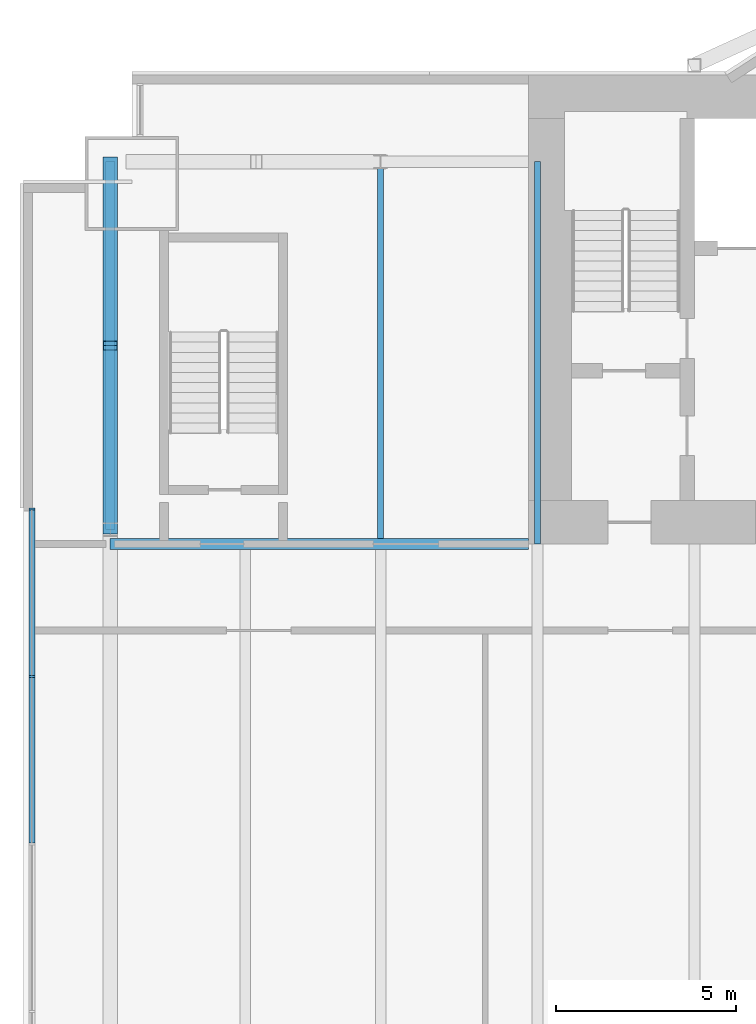
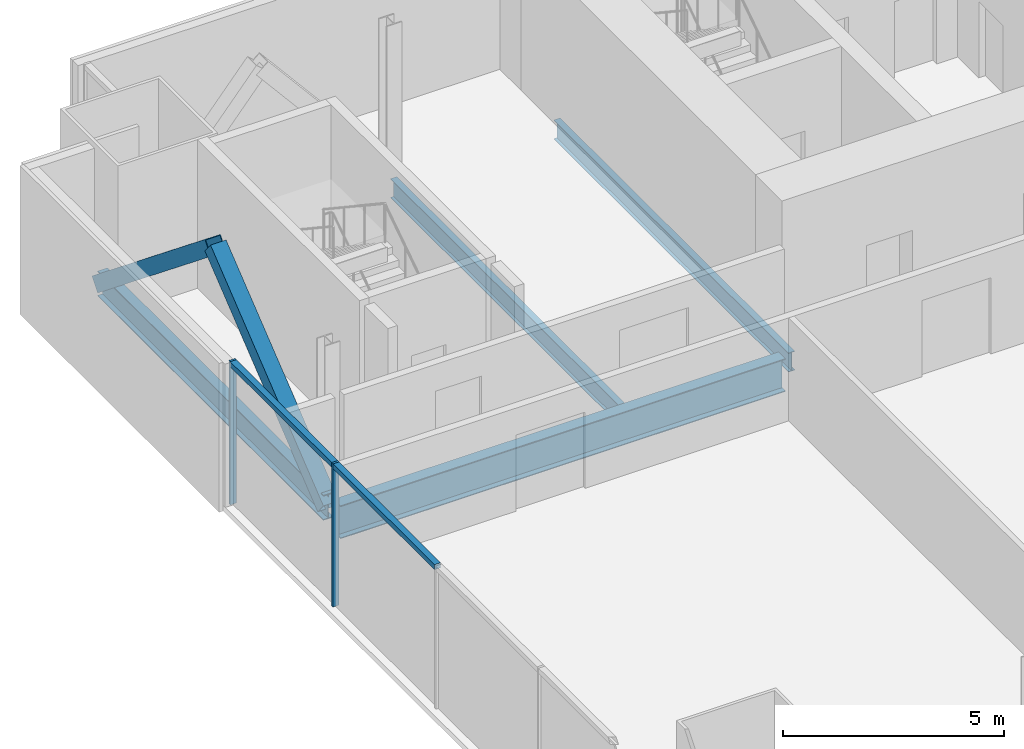
# One storey, part 7 of 20: 6 members, 4 beams, 1 element without a shape of its own.
"""IFC4 building model written with IfcOpenShell, lengths in metres."""

from ifc_helpers import new_model, si_unit, direction, frame, origin, origin_2d, place, context, subcontext, project, spatial, rectangle, hollow_rectangle, i_section, extrude, material, material_profile, profile_set, type_object, element, aggregate, save


model = new_model("IFC4")

# Units and contexts
model_context = context("Model", 3, precision=1e-05, world=origin(), true_north=direction((0.0, 1.0)))
body_context = subcontext(model_context, "Body", "Model", "MODEL_VIEW")
ifc_project = project(units=[si_unit("LENGTHUNIT", "METRE"), si_unit("AREAUNIT", "SQUARE_METRE"), si_unit("VOLUMEUNIT", "CUBIC_METRE"), si_unit("PLANEANGLEUNIT", "RADIAN"), si_unit("MASSUNIT", "GRAM", prefix="KILO")], contexts=[model_context])

# Site, building, storey
site_placement = place(None, origin())
site = spatial("IfcSite", under=ifc_project, at=site_placement, CompositionType="ELEMENT")
building_placement = place(site_placement, origin())
building = spatial("IfcBuilding", under=site, at=building_placement, Name="Bicima Exchange Tower", CompositionType="ELEMENT")
storey_placement = place(building_placement, frame((0.0, 0.0, 177.300048828125)))
storey = spatial("IfcBuildingStorey", under=building, at=storey_placement, Name="L39", CompositionType="ELEMENT", Elevation=177.300048828125)

# Beam
ifc_material_1 = material(Name="Steel ASTM A992 Gr 50", Category="steel")
ifc_material_profile_1 = material_profile(ifc_material_1, i_section(OverallWidth=0.3046875, OverallDepth=0.911865234375, WebThickness=0.015869140625, FlangeThickness=0.02392578125, at=origin_2d()))
ifc_profile_set_1 = profile_set([ifc_material_profile_1], Name="Steel ASTM A992 Gr 50")
beam_type_1 = type_object("IfcBeamType", Name="Core-line girder W36x150", PredefinedType="BEAM", material=ifc_profile_set_1)
beam_1_placement = place(storey_placement, frame((-22.0, -13.0, -0.60595703125), z_axis=(-1.0, 0.0, 0.0), x_axis=(0.0, -1.0, 0.0)))
element("IfcBeam", 1, at=beam_1_placement, inside=storey, type_object=beam_type_1, Name="Core-line girder", PredefinedType="BEAM", context=body_context, shape_type="SweptSolid", body=[
    extrude(i_section(OverallWidth=0.3046875, OverallDepth=0.911865234375, WebThickness=0.015869140625, FlangeThickness=0.02392578125, at=origin_2d()), origin(), (0.0, 0.0, 1.0), 11.60009765625),
])

# Curtain wall, members
ifc_material_2 = material(Name="Anodised bronze aluminium", Category="aluminium")
curtain_wall_type = type_object("IfcCurtainWallType", Name="End face glass wall", PredefinedType="NOTDEFINED", material=ifc_material_2)
curtain_wall_placement = place(storey_placement, origin())
curtain_wall = element("IfcCurtainWall", 2, at=curtain_wall_placement, inside=storey, type_object=curtain_wall_type, Name="End face glass wall L39 run 2", PredefinedType="NOTDEFINED")
ifc_material_profile_2 = material_profile(ifc_material_2, rectangle(XDim=0.159912109375, YDim=0.06005859375, at=origin_2d()))
ifc_profile_set_2 = profile_set([ifc_material_profile_2], Name="Anodised bronze aluminium")
member_type_1 = type_object("IfcMemberType", Name="End face glass wall mullion 60 x 160", PredefinedType="MULLION", material=ifc_profile_set_2)
member_1_placement = place(storey_placement, frame((-35.77001953125, -12.030029296875, 0.0), z_axis=(0.0, 0.0, 1.0), x_axis=(1.0, 0.0, 0.0)))
member_1 = element("IfcMember", 3, at=member_1_placement, type_object=member_type_1, Name="End face glass wall mullion 1", PredefinedType="MULLION", context=body_context, shape_type="SweptSolid", body=[
    extrude(rectangle(XDim=0.159912109375, YDim=0.06005859375, at=origin_2d()), origin(), (0.0, 0.0, 1.0), 3.949951171875),
])
member_2_placement = place(storey_placement, frame((-35.77001953125, -16.674560546875, 0.0), z_axis=(0.0, 0.0, 1.0), x_axis=(1.0, 0.0, 0.0)))
member_2 = element("IfcMember", 4, at=member_2_placement, type_object=member_type_1, Name="End face glass wall mullion 2", PredefinedType="MULLION", context=body_context, shape_type="SweptSolid", body=[
    extrude(rectangle(XDim=0.159912109375, YDim=0.06005859375, at=origin_2d()), origin(), (0.0, 0.0, 1.0), 3.949951171875),
])
ifc_material_profile_3 = material_profile(ifc_material_2, rectangle(XDim=0.159912109375, YDim=0.139892578125, at=origin_2d()))
ifc_profile_set_3 = profile_set([ifc_material_profile_3], Name="Anodised bronze aluminium")
member_type_2 = type_object("IfcMemberType", Name="End face glass wall transom 140 x 160", PredefinedType="USERDEFINED", material=ifc_profile_set_3)
member_3_placement = place(storey_placement, frame((-35.77001953125, -12.06005859375, 3.8798828125), z_axis=(0.0, -1.0, 0.0), x_axis=(1.0, 0.0, 0.0)))
member_3 = element("IfcMember", 5, at=member_3_placement, type_object=member_type_2, Name="End face glass wall transom 1.1", ObjectType="TRANSOM", PredefinedType="USERDEFINED", context=body_context, shape_type="SweptSolid", body=[
    extrude(rectangle(XDim=0.159912109375, YDim=0.139892578125, at=origin_2d()), origin(), (0.0, 0.0, 1.0), 4.58447265625),
])
member_4_placement = place(storey_placement, frame((-35.77001953125, -16.70458984375, 3.8798828125), z_axis=(0.0, -1.0, 0.0), x_axis=(1.0, 0.0, 0.0)))
member_4 = element("IfcMember", 6, at=member_4_placement, type_object=member_type_2, Name="End face glass wall transom 2.1", ObjectType="TRANSOM", PredefinedType="USERDEFINED", context=body_context, shape_type="SweptSolid", body=[
    extrude(rectangle(XDim=0.159912109375, YDim=0.139892578125, at=origin_2d()), origin(), (0.0, 0.0, 1.0), 4.58447265625),
])
aggregate(curtain_wall, [member_1, member_2, member_3, member_4])

# Beams
ifc_material_profile_4 = material_profile(ifc_material_1, i_section(OverallWidth=0.256591796875, OverallDepth=0.693359375, WebThickness=0.014404296875, FlangeThickness=0.023681640625, at=origin_2d()))
ifc_profile_set_4 = profile_set([ifc_material_profile_4], Name="Steel ASTM A992 Gr 50")
beam_type_2 = type_object("IfcBeamType", Name="End girder W27x114", PredefinedType="BEAM", material=ifc_profile_set_4)
beam_2_placement = place(storey_placement, frame((-33.60009765625, -2.39990234375, -0.496826171875), z_axis=(0.0, -1.0, 0.0), x_axis=(1.0, 0.0, 0.0)))
element("IfcBeam", 7, at=beam_2_placement, inside=storey, type_object=beam_type_2, Name="End girder", PredefinedType="BEAM", context=body_context, shape_type="SweptSolid", body=[
    extrude(i_section(OverallWidth=0.256591796875, OverallDepth=0.693359375, WebThickness=0.014404296875, FlangeThickness=0.023681640625, at=origin_2d()), origin(), (0.0, 0.0, 1.0), 10.2001953125),
])
ifc_material_profile_5 = material_profile(ifc_material_1, i_section(OverallWidth=0.165771484375, OverallDepth=0.5283203125, WebThickness=0.009765625, FlangeThickness=0.013671875, at=origin_2d()))
ifc_profile_set_5 = profile_set([ifc_material_profile_5], Name="Steel ASTM A992 Gr 50")
beam_type_3 = type_object("IfcBeamType", Name="Floor beam W21x50", PredefinedType="JOIST", material=ifc_profile_set_5)
beam_3_placement = place(storey_placement, frame((-26.10009765625, -2.5625, -0.414306640625), z_axis=(0.0, -1.0, 0.0), x_axis=(1.0, 0.0, 0.0)))
element("IfcBeam", 8, at=beam_3_placement, inside=storey, type_object=beam_type_3, Name="Floor beam", PredefinedType="JOIST", context=body_context, shape_type="SweptSolid", body=[
    extrude(i_section(OverallWidth=0.165771484375, OverallDepth=0.5283203125, WebThickness=0.009765625, FlangeThickness=0.013671875, at=origin_2d()), origin(), (0.0, 0.0, 1.0), 10.28515625),
])
beam_4_placement = place(storey_placement, frame((-21.75, -2.39990234375, -0.414306640625), z_axis=(0.0, -1.0, 0.0), x_axis=(1.0, 0.0, 0.0)))
element("IfcBeam", 9, at=beam_4_placement, inside=storey, type_object=beam_type_3, Name="Floor beam", PredefinedType="JOIST", context=body_context, shape_type="SweptSolid", body=[
    extrude(i_section(OverallWidth=0.165771484375, OverallDepth=0.5283203125, WebThickness=0.009765625, FlangeThickness=0.013671875, at=origin_2d()), origin(), (0.0, 0.0, 1.0), 10.60009765625),
])

# Members
ifc_material_3 = material(Name="Steel ASTM A572 Gr 50", Category="steel")
ifc_material_profile_6 = material_profile(ifc_material_3, hollow_rectangle(XDim=0.406494140625, YDim=0.406494140625, WallThickness=0.017822265625, at=origin_2d()))
ifc_profile_set_6 = profile_set([ifc_material_profile_6], Name="Steel ASTM A572 Gr 50")
member_type_3 = type_object("IfcMemberType", Name="Mega brace HSS16x16x3/4", PredefinedType="BRACE", material=ifc_profile_set_6)
for number, where, z_axis, x_axis, name in (
    (10, (-33.60009765625, -2.39990234375, -0.496826171875), (0.0, -0.779374241895, 0.626558689247), (1.0, 0.0, 0.0), "Mega brace west end"),
    (11, (-33.60009765625, -12.60009765625, -0.496826171875), (0.0, 0.779374241895, 0.626558689247), (-1.0, 0.0, 0.0), "Mega brace west end"),
):
    element("IfcMember", number, at=place(storey_placement, frame(where, z_axis=z_axis, x_axis=x_axis)), inside=storey, type_object=member_type_3, Name=name, PredefinedType="BRACE", context=body_context, shape_type="SweptSolid", body=[
        extrude(hollow_rectangle(XDim=0.406494140625, YDim=0.406494140625, WallThickness=0.017822265625, at=origin_2d()), origin(), (0.0, 0.0, 1.0), 6.5439453125),
    ])

save(model, "model.ifc")
